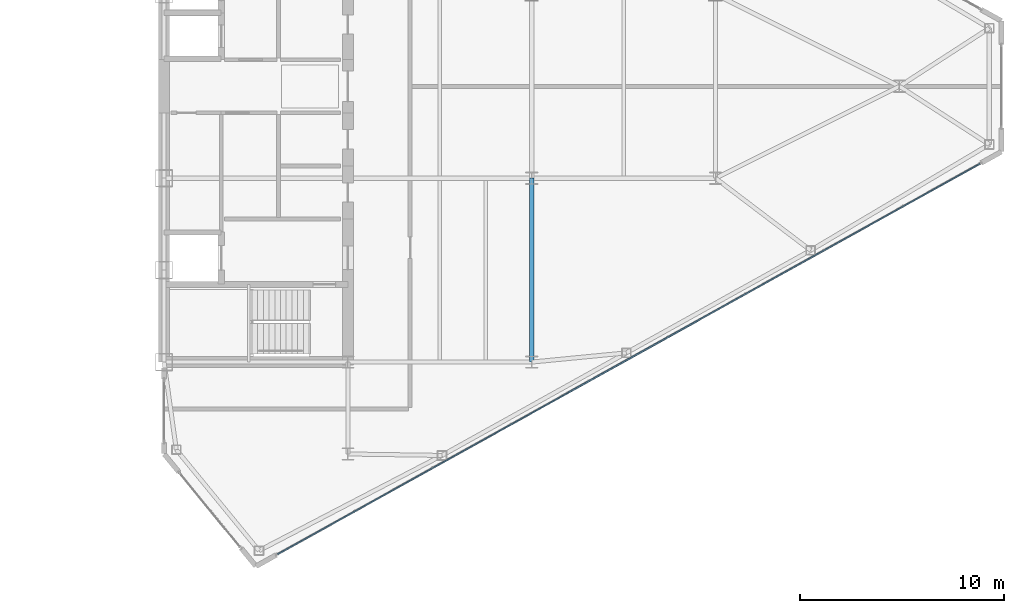
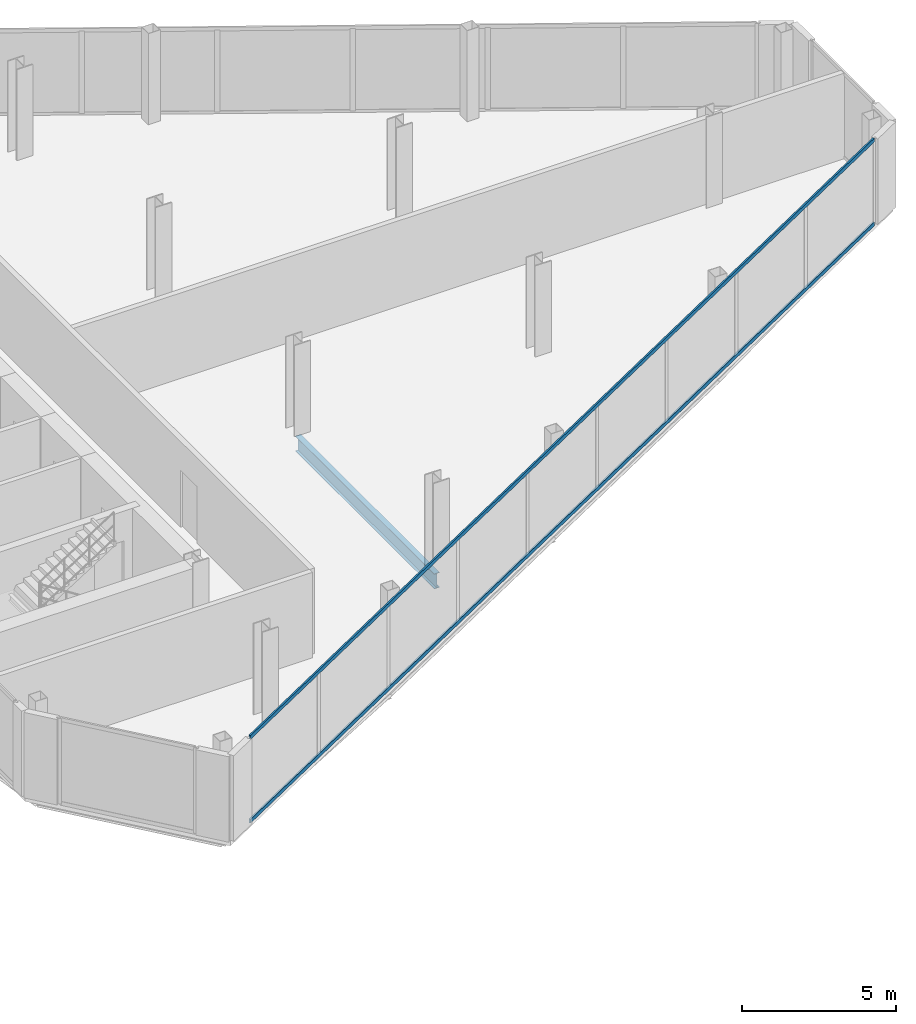
# One storey, part 12 of 26: 2 members, 1 beam, 1 element without a shape of its own.
"""IFC4 building model written with IfcOpenShell, lengths in metres."""

import ifcopenshell
import ifcopenshell.guid

model = None  # the IFC model being written
_history = None  # IfcOwnerHistory: only IFC2X3 demands one
_inside = {}  # id of a spatial element -> (the spatial element, [elements in it])
_under = {}  # id of a project, library or spatial element -> (it, [spatial elements below it])
_declared = {}  # id of a project -> (the project, [libraries it declares])
_typed = {}  # id of a type object -> (the type object, [elements of that type])
_made_of = {}  # id of a material, layer set ... -> (it, [elements and type objects made of it])


def new_model(schema):
    """Start an empty IFC model of exactly this schema.

    Asked for "IFC4X3", IfcOpenShell would pick the latest addendum, in which some entities
    have other attributes; the version numbers below select the first issue.
    IFC2X3 requires an IfcOwnerHistory on every rooted entity: one is made here for all.
    """
    global model, _history
    if schema == "IFC4X3":
        model = ifcopenshell.file(schema_version=(4, 3, 0, 0))
    else:
        model = ifcopenshell.file(schema=schema)
    _inside.clear()
    _under.clear()
    _declared.clear()
    _typed.clear()
    _made_of.clear()
    _history = None
    if model.schema == "IFC2X3":
        org = make("IfcOrganization", Name="unknown")
        user = make(
            "IfcPersonAndOrganization",
            ThePerson=make("IfcPerson", FamilyName="unknown"),
            TheOrganization=org,
        )
        app = make(
            "IfcApplication",
            ApplicationDeveloper=org,
            Version="unknown",
            ApplicationFullName="unknown",
            ApplicationIdentifier="unknown",
        )
        _history = make(
            "IfcOwnerHistory",
            OwningUser=user,
            OwningApplication=app,
            ChangeAction="ADDED",
            CreationDate=0,
        )
    return model


def make(cls, **values):
    """One entity of the class cls with the attributes given. An attribute that is None is left unset."""
    return model.create_entity(
        cls, **{name: value for name, value in values.items() if value is not None}
    )


def rooted(cls, **values):
    """An entity with a GlobalId (a new one), such as an element, a storey or a relation."""
    return make(cls, GlobalId=ifcopenshell.guid.new(), OwnerHistory=_history, **values)


def si_unit(unit_type, name, prefix=None):
    """IfcSIUnit, for example si_unit("LENGTHUNIT", "METRE", prefix="MILLI")."""
    return make("IfcSIUnit", UnitType=unit_type, Prefix=prefix, Name=name)


def assignment(units):
    """IfcUnitAssignment: the units of a project."""
    return None if units is None else make("IfcUnitAssignment", Units=units)


def point(xyz):
    """IfcCartesianPoint."""
    return None if xyz is None else make("IfcCartesianPoint", Coordinates=xyz)


def direction(xyz):
    """IfcDirection."""
    return None if xyz is None else make("IfcDirection", DirectionRatios=xyz)


def frame(location, z_axis=None, x_axis=None):
    """IfcAxis2Placement3D, a coordinate frame: its origin and axes. An axis left out is left unset."""
    return make(
        "IfcAxis2Placement3D",
        Location=point(location),
        Axis=direction(z_axis),
        RefDirection=direction(x_axis),
    )


def frame_2d(location, x_axis=None):
    """IfcAxis2Placement2D, a coordinate frame in the plane: its origin and x axis."""
    return make(
        "IfcAxis2Placement2D", Location=point(location), RefDirection=direction(x_axis)
    )


def origin():
    """The frame at (0, 0, 0) with its axes left unset."""
    return frame((0.0, 0.0, 0.0))


def origin_2d():
    """The frame at (0, 0) in the plane with its x axis left unset."""
    return frame_2d((0.0, 0.0))


def place(relative_to, where):
    """IfcLocalPlacement: puts the frame where relative to a parent placement (None: the world)."""
    return make(
        "IfcLocalPlacement", PlacementRelTo=relative_to, RelativePlacement=where
    )


def context(
    kind, dimensions, precision=None, world=None, true_north=None, identifier=None
):
    """IfcGeometricRepresentationContext, for example the 3D "Model" context."""
    return make(
        "IfcGeometricRepresentationContext",
        ContextIdentifier=identifier,
        ContextType=kind,
        CoordinateSpaceDimension=dimensions,
        Precision=precision,
        WorldCoordinateSystem=world,
        TrueNorth=true_north,
    )


def subcontext(parent, identifier, kind, view, scale=None):
    """IfcGeometricRepresentationSubContext, for example "Body" below "Model"."""
    return make(
        "IfcGeometricRepresentationSubContext",
        ContextIdentifier=identifier,
        ContextType=kind,
        ParentContext=parent,
        TargetScale=scale,
        TargetView=view,
    )


def project(units=None, contexts=None):
    """IfcProject with its units and contexts."""
    return rooted(
        "IfcProject",
        Name="project",
        RepresentationContexts=contexts,
        UnitsInContext=assignment(units),
    )


def spatial(cls, under=None, at=None, **own):
    """A site, building, storey or space (cls), placed at a placement, below another one or the project."""
    s = rooted(cls, ObjectPlacement=at, **own)
    if under is not None:
        _under.setdefault(under.id(), (under, []))[1].append(s)
    return s


def profile(cls, at=None, kind="AREA", **sizes):
    """A parametric profile (cls). Its sizes go by their IFC names, for example OverallWidth=200.0."""
    return make(cls, ProfileType=kind, Position=at, **sizes)


def rectangle(**sizes):
    """IfcRectangleProfileDef."""
    return profile("IfcRectangleProfileDef", **sizes)


def i_section(**sizes):
    """IfcIShapeProfileDef."""
    return profile("IfcIShapeProfileDef", **sizes)


def extrude(swept, where, along, depth):
    """IfcExtrudedAreaSolid: the profile swept, set in the frame where, extruded along a direction by depth."""
    return make(
        "IfcExtrudedAreaSolid",
        SweptArea=swept,
        Position=where,
        ExtrudedDirection=direction(along),
        Depth=depth,
    )


def shape(context_of_items, identifier, shape_type, items):
    """IfcShapeRepresentation: the items that make up one representation, for example the "Body"."""
    return make(
        "IfcShapeRepresentation",
        ContextOfItems=context_of_items,
        RepresentationIdentifier=identifier,
        RepresentationType=shape_type,
        Items=items,
    )


def source(mapping_origin, context_of_items, identifier, shape_type, items):
    """IfcRepresentationMap: a shape defined once, which mapped items show again and again."""
    return make(
        "IfcRepresentationMap",
        MappingOrigin=mapping_origin,
        MappedRepresentation=shape(context_of_items, identifier, shape_type, items),
    )


def transform(
    local_origin,
    x_axis=None,
    y_axis=None,
    z_axis=None,
    scale=None,
    scale2=None,
    scale3=None,
    uniform=True,
):
    """IfcCartesianTransformationOperator3D, or its non-uniform kind. x_axis, y_axis, z_axis: its Axis1, 2, 3."""
    if uniform:
        return make(
            "IfcCartesianTransformationOperator3D",
            Axis1=direction(x_axis),
            Axis2=direction(y_axis),
            LocalOrigin=point(local_origin),
            Scale=scale,
            Axis3=direction(z_axis),
        )
    return make(
        "IfcCartesianTransformationOperator3DnonUniform",
        Axis1=direction(x_axis),
        Axis2=direction(y_axis),
        LocalOrigin=point(local_origin),
        Scale=scale,
        Axis3=direction(z_axis),
        Scale2=scale2,
        Scale3=scale3,
    )


def mapped(mapping_source, mapping_target):
    """IfcMappedItem: shows the shape of a source again, moved by a transform."""
    return make(
        "IfcMappedItem", MappingSource=mapping_source, MappingTarget=mapping_target
    )


def material(Name=None, Category=None):
    """IfcMaterial."""
    return make("IfcMaterial", Name=Name, Category=Category)


def layer(
    of_material, thickness, ventilated=None, Name=None, Category=None, Priority=None
):
    """IfcMaterialLayer: one layer of a wall or slab, of a material (None: an air gap)."""
    return make(
        "IfcMaterialLayer",
        Material=of_material,
        LayerThickness=thickness,
        IsVentilated=ventilated,
        Name=Name,
        Category=Category,
        Priority=Priority,
    )


def layer_set(layers, Name=None):
    """IfcMaterialLayerSet."""
    return make("IfcMaterialLayerSet", MaterialLayers=layers, LayerSetName=Name)


def material_profile(
    of_material, cross_section, Name=None, Category=None, Priority=None
):
    """IfcMaterialProfile: a cross section and its material."""
    return make(
        "IfcMaterialProfile",
        Name=Name,
        Material=of_material,
        Profile=cross_section,
        Priority=Priority,
        Category=Category,
    )


def profile_set(profiles, Name=None, composite=None):
    """IfcMaterialProfileSet."""
    return make(
        "IfcMaterialProfileSet",
        Name=Name,
        MaterialProfiles=profiles,
        CompositeProfile=composite,
    )


def made_of(thing, what):
    """Note that an element or type object is made of a material, layer set ...; save() writes the relation."""
    if what is not None:
        _made_of.setdefault(what.id(), (what, []))[1].append(thing)
    return thing


def type_object(cls, material=None, **own):
    """A type object (cls), such as IfcWallType, which elements share."""
    return made_of(rooted(cls, **own), material)


def type_shapes(of_type, sources):
    """Give a type object the sources (RepresentationMaps) that its elements show as mapped items."""
    of_type.RepresentationMaps = sources


def element(
    cls,
    number,
    at=None,
    inside=None,
    cuts=None,
    type_object=None,
    material=None,
    context=None,
    identifier="Body",
    shape_type=None,
    held_by="IfcProductDefinitionShape",
    body=None,
    shapes=None,
    **own,
):
    """One element of the class cls, such as IfcWall. Its Tag is "e" and its number.

    at: its placement. inside: the storey or other place that contains it. cuts: it is an
    opening in that element (IfcRelVoidsElement). A single representation is given by context,
    identifier, shape_type and body (its items); several are given by shapes. held_by: the class
    of the entity that holds the representations. save() writes the other relations.
    """
    e = rooted(cls, Tag="e%d" % number, ObjectPlacement=at, **own)
    if body is not None:
        shapes = [shape(context, identifier, shape_type, body)]
    if shapes is not None:
        e.Representation = make(held_by, Representations=shapes)
    if inside is not None:
        _inside.setdefault(inside.id(), (inside, []))[1].append(e)
    if cuts is not None:
        rooted(
            "IfcRelVoidsElement", RelatingBuildingElement=cuts, RelatedOpeningElement=e
        )
    if type_object is not None:
        _typed.setdefault(type_object.id(), (type_object, []))[1].append(e)
    return made_of(e, material)


def aggregate(whole, parts):
    """IfcRelAggregates: a whole, such as a stair, and the parts it consists of."""
    return rooted("IfcRelAggregates", RelatingObject=whole, RelatedObjects=parts)


def save(model, path):
    """Write the relations noted so far, then the file.

    IfcRelAggregates (storeys below a building ...), IfcRelContainedInSpatialStructure (elements
    in a storey), IfcRelDefinesByType, IfcRelAssociatesMaterial and IfcRelDeclares: one each for
    every whole, place, type object, material and project.
    """
    for whole, parts in _under.values():
        aggregate(whole, parts)
    for where, things in _inside.values():
        rooted(
            "IfcRelContainedInSpatialStructure",
            RelatedElements=things,
            RelatingStructure=where,
        )
    for kind, things in _typed.values():
        rooted("IfcRelDefinesByType", RelatedObjects=things, RelatingType=kind)
    for what, things in _made_of.values():
        rooted("IfcRelAssociatesMaterial", RelatedObjects=things, RelatingMaterial=what)
    for by, libraries in _declared.values():
        rooted("IfcRelDeclares", RelatingContext=by, RelatedDefinitions=libraries)
    model.write(path)


model = new_model("IFC4")

# Units and contexts
model_context = context("Model", 3, precision=1e-05, world=origin(), true_north=direction((0.0, 1.0)))
body_context = subcontext(model_context, "Body", "Model", "MODEL_VIEW")
ifc_project = project(units=[si_unit("LENGTHUNIT", "METRE"), si_unit("AREAUNIT", "SQUARE_METRE"), si_unit("VOLUMEUNIT", "CUBIC_METRE"), si_unit("PLANEANGLEUNIT", "RADIAN"), si_unit("MASSUNIT", "GRAM", prefix="KILO")], contexts=[model_context])

# Site, building, storey
site_placement = place(None, origin())
site = spatial("IfcSite", under=ifc_project, at=site_placement, CompositionType="ELEMENT")
building_placement = place(site_placement, origin())
building = spatial("IfcBuilding", under=site, at=building_placement, Name="Seokmaru Belvedere", CompositionType="ELEMENT")
storey_placement = place(building_placement, frame((0.0, 0.0, 181.5)))
storey = spatial("IfcBuildingStorey", under=building, at=storey_placement, Name="L48", CompositionType="ELEMENT", Elevation=181.5)

# Beam
ifc_material_1 = material(Name="Steel SM355 (355 MPa)", Category="steel")
ifc_material_profile_1 = material_profile(ifc_material_1, i_section(OverallWidth=0.199951171875, OverallDepth=0.60009765625, WebThickness=0.010986328125, FlangeThickness=0.01708984375, at=origin_2d()), Name="H-600x200x11x17")
ifc_profile_set_1 = profile_set([ifc_material_profile_1], Name="Steel SM355 (355 MPa)")
beam_type = type_object("IfcBeamType", Name="Primary Floor Girder H-600", PredefinedType="BEAM", material=ifc_profile_set_1)
shared_shape_1 = source(origin(), body_context, "Body", "SweptSolid", [
    extrude(i_section(OverallWidth=0.199951171875, OverallDepth=0.60009765625, WebThickness=0.010986328125, FlangeThickness=0.01708984375, at=origin_2d()), origin(), (0.0, 0.0, 1.0), 9.0),
])
type_shapes(beam_type, [shared_shape_1])
beam_placement = place(storey_placement, frame((45.5, -13.5, -0.52001953125), z_axis=(0.0, 1.0, 0.0), x_axis=(-1.0, 0.0, 0.0)))
element("IfcBeam", 1, at=beam_placement, inside=storey, type_object=beam_type, Name="L48 E Interior Grid Girder 1", PredefinedType="BEAM", context=body_context, shape_type="MappedRepresentation", body=[
    mapped(shared_shape_1, transform((0.0, 0.0, 0.0), scale=1.0)),
])

# Curtain wall, members
ifc_material_2 = material(Name="Bronze Triple Insulating Glass", Category="glass")
ifc_layer = layer(ifc_material_2, 0.179931640625)
ifc_layer_set = layer_set([ifc_layer], Name="Bronze Triple Insulating Glass")
curtain_wall_type = type_object("IfcCurtainWallType", Name="High-Rise Wind-Corner Curtain Wall System CW-5", PredefinedType="NOTDEFINED", material=ifc_layer_set)
curtain_wall_placement = place(storey_placement, origin())
curtain_wall = element("IfcCurtainWall", 2, at=curtain_wall_placement, inside=storey, type_object=curtain_wall_type, Name="L48 Curtain Wall EF1", PredefinedType="NOTDEFINED")
ifc_material_3 = material(Name="Anodised Bronze Aluminium", Category="aluminium")
ifc_material_profile_2 = material_profile(ifc_material_3, rectangle(XDim=0.06494140625, YDim=0.14990234375, at=origin_2d()), Name="CW-T-65x150")
ifc_profile_set_2 = profile_set([ifc_material_profile_2], Name="Anodised Bronze Aluminium")
member_type = type_object("IfcMemberType", Name="Bronze Unitised Transom 65x150", PredefinedType="USERDEFINED", material=ifc_profile_set_2)
shared_shape_2 = source(origin(), body_context, "Body", "SweptSolid", [
    extrude(rectangle(XDim=0.06494140625, YDim=0.14990234375, at=origin_2d()), origin(), (0.0, 0.0, 1.0), 39.33544921875),
])
type_shapes(member_type, [shared_shape_2])
member_1_placement = place(storey_placement, frame((33.061767578125, -22.909423828125, 0.032470703125), z_axis=(0.873932045133, 0.486048125693, 0.0), x_axis=(-0.486048125693, 0.873932045133, 0.0)))
member_1 = element("IfcMember", 3, at=member_1_placement, type_object=member_type, Name="CW:L48:EF1 Continuous Transom 1", ObjectType="TRANSOM", PredefinedType="USERDEFINED", context=body_context, shape_type="MappedRepresentation", body=[
    mapped(shared_shape_2, transform((0.0, 0.0, 0.0), scale=1.0)),
])
member_2_placement = place(storey_placement, frame((33.061767578125, -22.909423828125, 3.347412109375), z_axis=(0.873932045133, 0.486048125693, 0.0), x_axis=(-0.486048125693, 0.873932045133, 0.0)))
member_2 = element("IfcMember", 4, at=member_2_placement, type_object=member_type, Name="CW:L48:EF1 Continuous Transom 2", ObjectType="TRANSOM", PredefinedType="USERDEFINED", context=body_context, shape_type="MappedRepresentation", body=[
    mapped(shared_shape_2, transform((0.0, 0.0, 0.0), scale=1.0)),
])
aggregate(curtain_wall, [member_1, member_2])

save(model, "model.ifc")
